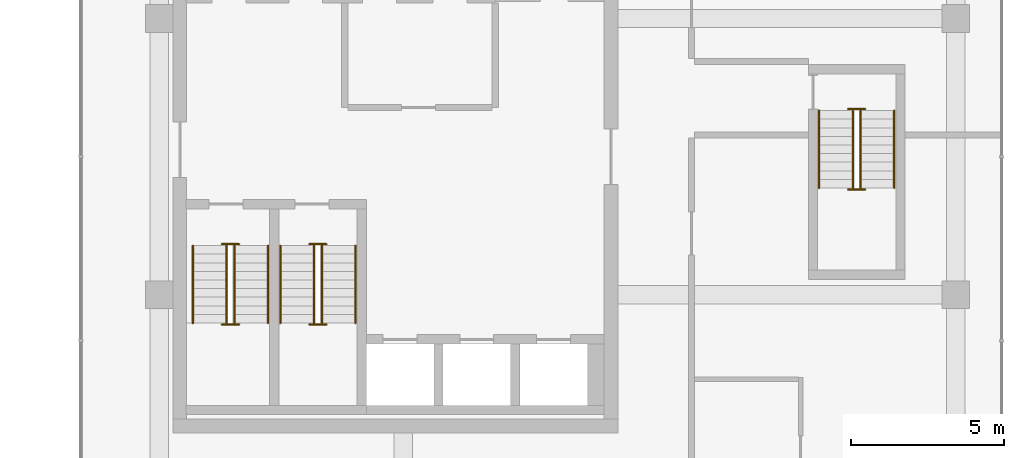
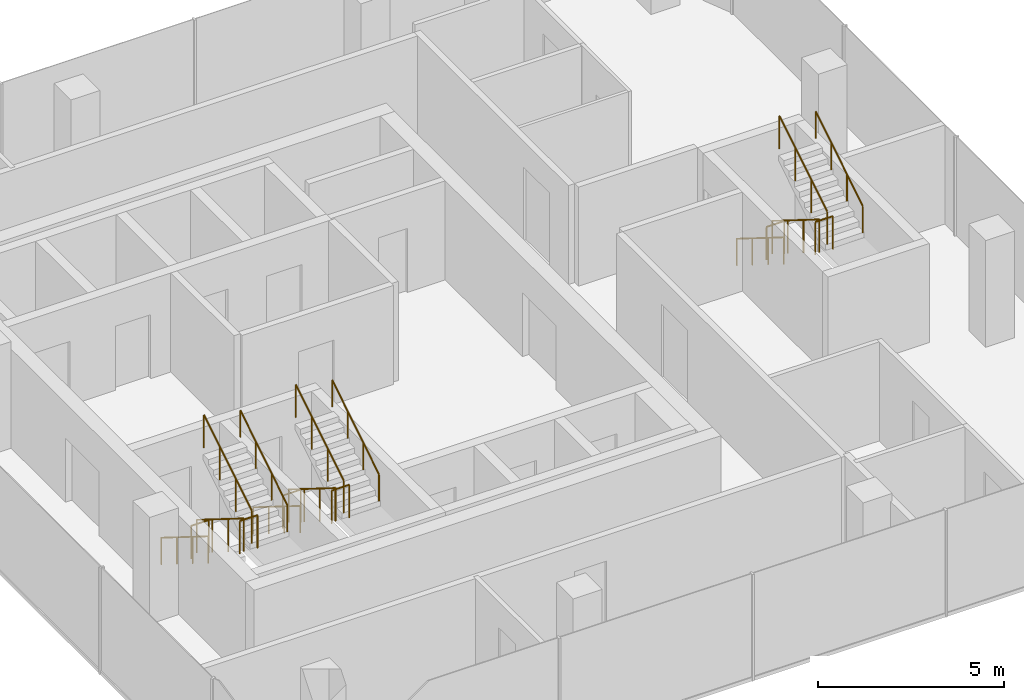
# One storey, part 23 of 23: 18 railings.
"""IFC4 building model written with IfcOpenShell, lengths in metres."""

from ifc_helpers import new_model, si_unit, direction, frame, origin, origin_2d, place, context, subcontext, project, spatial, circle, extrude, material, type_object, element, save


model = new_model("IFC4")

# Units and contexts
model_context = context("Model", 3, precision=1e-05, world=origin(), true_north=direction((0.0, 1.0)))
body_context = subcontext(model_context, "Body", "Model", "MODEL_VIEW")
ifc_project = project(units=[si_unit("LENGTHUNIT", "METRE"), si_unit("AREAUNIT", "SQUARE_METRE"), si_unit("VOLUMEUNIT", "CUBIC_METRE"), si_unit("PLANEANGLEUNIT", "RADIAN"), si_unit("MASSUNIT", "GRAM", prefix="KILO")], contexts=[model_context])

# Site, building, storey
site_placement = place(None, origin())
site = spatial("IfcSite", under=ifc_project, at=site_placement, CompositionType="ELEMENT")
building_placement = place(site_placement, origin())
building = spatial("IfcBuilding", under=site, at=building_placement, Name="Plateau Cross Towers", CompositionType="ELEMENT")
storey_placement = place(building_placement, frame((0.0, 0.0, 88.800048828125)))
storey = spatial("IfcBuildingStorey", under=building, at=storey_placement, Name="L22", CompositionType="ELEMENT", Elevation=88.800048828125)

# Railings
ifc_material_1 = material(Name="Stainless steel and toughened glass", Category="steel")
railing_type_1 = type_object("IfcRailingType", Name="RL-GUARD-1100", PredefinedType="GUARDRAIL", material=ifc_material_1)
railing_1_placement = place(storey_placement, frame((76.75, 6.10009765625, 0.175048828125)))
element("IfcRailing", 1, at=railing_1_placement, inside=storey, type_object=railing_type_1, Name="L22 SB-1 stair guard 1", PredefinedType="GUARDRAIL", context=body_context, shape_type="SweptSolid", body=[
    extrude(circle(Radius=0.02392578125, at=origin_2d()), frame((0.0, 0.0, 1.076171875), z_axis=(0.0, -0.848007534815, 0.529984170421), x_axis=(1.0, 0.0, 0.0)), (0.0, 0.0, 1.0), 2.9716796875),
    extrude(circle(Radius=0.02099609375, at=origin_2d()), origin(), (0.0, 0.0, 1.0), 1.052001953125),
    extrude(circle(Radius=0.02099609375, at=origin_2d()), frame((0.0, -0.840087890625, 0.52490234375)), (0.0, 0.0, 1.0), 1.052001953125),
    extrude(circle(Radius=0.02099609375, at=origin_2d()), frame((0.0, -1.679931640625, 1.050048828125)), (0.0, 0.0, 1.0), 1.052001953125),
    extrude(circle(Radius=0.02099609375, at=origin_2d()), frame((0.0, -2.52001953125, 1.574951171875)), (0.0, 0.0, 1.0), 1.052001953125),
])
railing_2_placement = place(storey_placement, frame((76.60009765625, 3.530029296875, 1.75)))
element("IfcRailing", 2, at=railing_2_placement, inside=storey, type_object=railing_type_1, Name="L22 SB-1 stair guard 2", PredefinedType="GUARDRAIL", context=body_context, shape_type="SweptSolid", body=[
    extrude(circle(Radius=0.02392578125, at=origin_2d()), frame((0.0, 0.0, 1.076171875), z_axis=(1.0, 0.0, 0.0), x_axis=(0.0, 1.0, 0.0)), (0.0, 0.0, 1.0), 0.5498046875),
    extrude(circle(Radius=0.02099609375, at=origin_2d()), origin(), (0.0, 0.0, 1.0), 1.052001953125),
    extrude(circle(Radius=0.02099609375, at=origin_2d()), frame((0.5498046875, 0.0, 0.0)), (0.0, 0.0, 1.0), 1.052001953125),
])
railing_3_placement = place(storey_placement, frame((77.0, 3.580078125, 1.925048828125)))
element("IfcRailing", 3, at=railing_3_placement, inside=storey, type_object=railing_type_1, Name="L22 SB-1 stair guard 3", PredefinedType="GUARDRAIL", context=body_context, shape_type="SweptSolid", body=[
    extrude(circle(Radius=0.02392578125, at=origin_2d()), frame((0.0, 0.0, 1.076171875), z_axis=(0.0, 0.852616386126, 0.522537365276), x_axis=(-1.0, 0.0, 0.0)), (0.0, 0.0, 1.0), 3.01416015625),
    extrude(circle(Radius=0.02099609375, at=origin_2d()), origin(), (0.0, 0.0, 1.0), 1.052001953125),
    extrude(circle(Radius=0.02099609375, at=origin_2d()), frame((0.0, 0.856689453125, 0.52490234375)), (0.0, 0.0, 1.0), 1.052001953125),
    extrude(circle(Radius=0.02099609375, at=origin_2d()), frame((0.0, 1.713134765625, 1.050048828125)), (0.0, 0.0, 1.0), 1.052001953125),
    extrude(circle(Radius=0.02099609375, at=origin_2d()), frame((0.0, 2.56982421875, 1.574951171875)), (0.0, 0.0, 1.0), 1.052001953125),
])
railing_4_placement = place(storey_placement, frame((76.60009765625, 6.14990234375, 0.0)))
element("IfcRailing", 4, at=railing_4_placement, inside=storey, type_object=railing_type_1, Name="L22 SB-1 stair guard 4", PredefinedType="GUARDRAIL", context=body_context, shape_type="SweptSolid", body=[
    extrude(circle(Radius=0.02392578125, at=origin_2d()), frame((0.0, 0.0, 1.076171875), z_axis=(1.0, 0.0, 0.0), x_axis=(0.0, 1.0, 0.0)), (0.0, 0.0, 1.0), 0.5498046875),
    extrude(circle(Radius=0.02099609375, at=origin_2d()), origin(), (0.0, 0.0, 1.0), 1.052001953125),
    extrude(circle(Radius=0.02099609375, at=origin_2d()), frame((0.5498046875, 0.0, 0.0)), (0.0, 0.0, 1.0), 1.052001953125),
])
railing_5_placement = place(storey_placement, frame((79.60009765625, 6.10009765625, 0.175048828125)))
element("IfcRailing", 5, at=railing_5_placement, inside=storey, type_object=railing_type_1, Name="L22 SB-2 stair guard 1", PredefinedType="GUARDRAIL", context=body_context, shape_type="SweptSolid", body=[
    extrude(circle(Radius=0.02392578125, at=origin_2d()), frame((0.0, 0.0, 1.076171875), z_axis=(0.0, -0.848007534815, 0.529984170421), x_axis=(1.0, 0.0, 0.0)), (0.0, 0.0, 1.0), 2.9716796875),
    extrude(circle(Radius=0.02099609375, at=origin_2d()), origin(), (0.0, 0.0, 1.0), 1.052001953125),
    extrude(circle(Radius=0.02099609375, at=origin_2d()), frame((0.0, -0.840087890625, 0.52490234375)), (0.0, 0.0, 1.0), 1.052001953125),
    extrude(circle(Radius=0.02099609375, at=origin_2d()), frame((0.0, -1.679931640625, 1.050048828125)), (0.0, 0.0, 1.0), 1.052001953125),
    extrude(circle(Radius=0.02099609375, at=origin_2d()), frame((0.0, -2.52001953125, 1.574951171875)), (0.0, 0.0, 1.0), 1.052001953125),
])
railing_6_placement = place(storey_placement, frame((79.449951171875, 3.530029296875, 1.75)))
element("IfcRailing", 6, at=railing_6_placement, inside=storey, type_object=railing_type_1, Name="L22 SB-2 stair guard 2", PredefinedType="GUARDRAIL", context=body_context, shape_type="SweptSolid", body=[
    extrude(circle(Radius=0.02392578125, at=origin_2d()), frame((0.0, 0.0, 1.076171875), z_axis=(1.0, 0.0, 0.0), x_axis=(0.0, 1.0, 0.0)), (0.0, 0.0, 1.0), 0.550048828125),
    extrude(circle(Radius=0.02099609375, at=origin_2d()), origin(), (0.0, 0.0, 1.0), 1.052001953125),
    extrude(circle(Radius=0.02099609375, at=origin_2d()), frame((0.550048828125, 0.0, 0.0)), (0.0, 0.0, 1.0), 1.052001953125),
])
railing_7_placement = place(storey_placement, frame((79.85009765625, 3.580078125, 1.925048828125)))
element("IfcRailing", 7, at=railing_7_placement, inside=storey, type_object=railing_type_1, Name="L22 SB-2 stair guard 3", PredefinedType="GUARDRAIL", context=body_context, shape_type="SweptSolid", body=[
    extrude(circle(Radius=0.02392578125, at=origin_2d()), frame((0.0, 0.0, 1.076171875), z_axis=(0.0, 0.852616386126, 0.522537365276), x_axis=(-1.0, 0.0, 0.0)), (0.0, 0.0, 1.0), 3.01416015625),
    extrude(circle(Radius=0.02099609375, at=origin_2d()), origin(), (0.0, 0.0, 1.0), 1.052001953125),
    extrude(circle(Radius=0.02099609375, at=origin_2d()), frame((0.0, 0.856689453125, 0.52490234375)), (0.0, 0.0, 1.0), 1.052001953125),
    extrude(circle(Radius=0.02099609375, at=origin_2d()), frame((0.0, 1.713134765625, 1.050048828125)), (0.0, 0.0, 1.0), 1.052001953125),
    extrude(circle(Radius=0.02099609375, at=origin_2d()), frame((0.0, 2.56982421875, 1.574951171875)), (0.0, 0.0, 1.0), 1.052001953125),
])
railing_8_placement = place(storey_placement, frame((79.449951171875, 6.14990234375, 0.0)))
element("IfcRailing", 8, at=railing_8_placement, inside=storey, type_object=railing_type_1, Name="L22 SB-2 stair guard 4", PredefinedType="GUARDRAIL", context=body_context, shape_type="SweptSolid", body=[
    extrude(circle(Radius=0.02392578125, at=origin_2d()), frame((0.0, 0.0, 1.076171875), z_axis=(1.0, 0.0, 0.0), x_axis=(0.0, 1.0, 0.0)), (0.0, 0.0, 1.0), 0.550048828125),
    extrude(circle(Radius=0.02099609375, at=origin_2d()), origin(), (0.0, 0.0, 1.0), 1.052001953125),
    extrude(circle(Radius=0.02099609375, at=origin_2d()), frame((0.550048828125, 0.0, 0.0)), (0.0, 0.0, 1.0), 1.052001953125),
])
railing_9_placement = place(storey_placement, frame((97.14990234375, 10.5, 0.175048828125)))
element("IfcRailing", 9, at=railing_9_placement, inside=storey, type_object=railing_type_1, Name="L22 SB-3 stair guard 1", PredefinedType="GUARDRAIL", context=body_context, shape_type="SweptSolid", body=[
    extrude(circle(Radius=0.02392578125, at=origin_2d()), frame((0.0, 0.0, 1.076171875), z_axis=(0.0, -0.848007534815, 0.529984170421), x_axis=(1.0, 0.0, 0.0)), (0.0, 0.0, 1.0), 2.9716796875),
    extrude(circle(Radius=0.02099609375, at=origin_2d()), origin(), (0.0, 0.0, 1.0), 1.052001953125),
    extrude(circle(Radius=0.02099609375, at=origin_2d()), frame((0.0, -0.840087890625, 0.52490234375)), (0.0, 0.0, 1.0), 1.052001953125),
    extrude(circle(Radius=0.02099609375, at=origin_2d()), frame((0.0, -1.679931640625, 1.050048828125)), (0.0, 0.0, 1.0), 1.052001953125),
    extrude(circle(Radius=0.02099609375, at=origin_2d()), frame((0.0, -2.52001953125, 1.574951171875)), (0.0, 0.0, 1.0), 1.052001953125),
])
railing_10_placement = place(storey_placement, frame((97.0, 7.929931640625, 1.75)))
element("IfcRailing", 10, at=railing_10_placement, inside=storey, type_object=railing_type_1, Name="L22 SB-3 stair guard 2", PredefinedType="GUARDRAIL", context=body_context, shape_type="SweptSolid", body=[
    extrude(circle(Radius=0.02392578125, at=origin_2d()), frame((0.0, 0.0, 1.076171875), z_axis=(1.0, 0.0, 0.0), x_axis=(0.0, 1.0, 0.0)), (0.0, 0.0, 1.0), 0.550048828125),
    extrude(circle(Radius=0.02099609375, at=origin_2d()), origin(), (0.0, 0.0, 1.0), 1.052001953125),
    extrude(circle(Radius=0.02099609375, at=origin_2d()), frame((0.550048828125, 0.0, 0.0)), (0.0, 0.0, 1.0), 1.052001953125),
])
railing_11_placement = place(storey_placement, frame((97.39990234375, 7.97998046875, 1.925048828125)))
element("IfcRailing", 11, at=railing_11_placement, inside=storey, type_object=railing_type_1, Name="L22 SB-3 stair guard 3", PredefinedType="GUARDRAIL", context=body_context, shape_type="SweptSolid", body=[
    extrude(circle(Radius=0.02392578125, at=origin_2d()), frame((0.0, 0.0, 1.076171875), z_axis=(0.0, 0.852638500773, 0.522501279423), x_axis=(-1.0, 0.0, 0.0)), (0.0, 0.0, 1.0), 3.01416015625),
    extrude(circle(Radius=0.02099609375, at=origin_2d()), origin(), (0.0, 0.0, 1.0), 1.052001953125),
    extrude(circle(Radius=0.02099609375, at=origin_2d()), frame((0.0, 0.856689453125, 0.52490234375)), (0.0, 0.0, 1.0), 1.052001953125),
    extrude(circle(Radius=0.02099609375, at=origin_2d()), frame((0.0, 1.71337890625, 1.050048828125)), (0.0, 0.0, 1.0), 1.052001953125),
    extrude(circle(Radius=0.02099609375, at=origin_2d()), frame((0.0, 2.570068359375, 1.574951171875)), (0.0, 0.0, 1.0), 1.052001953125),
])
railing_12_placement = place(storey_placement, frame((97.0, 10.550048828125, 0.0)))
element("IfcRailing", 12, at=railing_12_placement, inside=storey, type_object=railing_type_1, Name="L22 SB-3 stair guard 4", PredefinedType="GUARDRAIL", context=body_context, shape_type="SweptSolid", body=[
    extrude(circle(Radius=0.02392578125, at=origin_2d()), frame((0.0, 0.0, 1.076171875), z_axis=(1.0, 0.0, 0.0), x_axis=(0.0, 1.0, 0.0)), (0.0, 0.0, 1.0), 0.550048828125),
    extrude(circle(Radius=0.02099609375, at=origin_2d()), origin(), (0.0, 0.0, 1.0), 1.052001953125),
    extrude(circle(Radius=0.02099609375, at=origin_2d()), frame((0.550048828125, 0.0, 0.0)), (0.0, 0.0, 1.0), 1.052001953125),
])
ifc_material_2 = material(Name="Black anodised aluminium", Category="aluminium")
railing_type_2 = type_object("IfcRailingType", Name="RL-HANDRAIL-900", PredefinedType="HANDRAIL", material=ifc_material_2)
railing_13_placement = place(storey_placement, frame((75.64990234375, 6.10009765625, 0.175048828125)))
element("IfcRailing", 13, at=railing_13_placement, inside=storey, type_object=railing_type_2, Name="L22 SB-1 stair handrail 1", PredefinedType="HANDRAIL", context=body_context, shape_type="SweptSolid", body=[
    extrude(circle(Radius=0.02392578125, at=origin_2d()), frame((0.0, 0.0, 0.8759765625), z_axis=(0.0, -0.848007534815, 0.529984170421), x_axis=(1.0, 0.0, 0.0)), (0.0, 0.0, 1.0), 2.9716796875),
    extrude(circle(Radius=0.02099609375, at=origin_2d()), origin(), (0.0, 0.0, 1.0), 0.851806640625),
    extrude(circle(Radius=0.02099609375, at=origin_2d()), frame((0.0, -0.840087890625, 0.52490234375)), (0.0, 0.0, 1.0), 0.851806640625),
    extrude(circle(Radius=0.02099609375, at=origin_2d()), frame((0.0, -1.679931640625, 1.050048828125)), (0.0, 0.0, 1.0), 0.851806640625),
    extrude(circle(Radius=0.02099609375, at=origin_2d()), frame((0.0, -2.52001953125, 1.574951171875)), (0.0, 0.0, 1.0), 0.851806640625),
])
railing_14_placement = place(storey_placement, frame((78.10009765625, 3.580078125, 1.925048828125)))
element("IfcRailing", 14, at=railing_14_placement, inside=storey, type_object=railing_type_2, Name="L22 SB-1 stair handrail 2", PredefinedType="HANDRAIL", context=body_context, shape_type="SweptSolid", body=[
    extrude(circle(Radius=0.02392578125, at=origin_2d()), frame((0.0, 0.0, 0.8759765625), z_axis=(0.0, 0.848007534815, 0.529984170421), x_axis=(-1.0, 0.0, 0.0)), (0.0, 0.0, 1.0), 2.9716796875),
    extrude(circle(Radius=0.02099609375, at=origin_2d()), origin(), (0.0, 0.0, 1.0), 0.851806640625),
    extrude(circle(Radius=0.02099609375, at=origin_2d()), frame((0.0, 0.840087890625, 0.52490234375)), (0.0, 0.0, 1.0), 0.851806640625),
    extrude(circle(Radius=0.02099609375, at=origin_2d()), frame((0.0, 1.679931640625, 1.050048828125)), (0.0, 0.0, 1.0), 0.851806640625),
    extrude(circle(Radius=0.02099609375, at=origin_2d()), frame((0.0, 2.52001953125, 1.574951171875)), (0.0, 0.0, 1.0), 0.851806640625),
])
railing_15_placement = place(storey_placement, frame((78.5, 6.10009765625, 0.175048828125)))
element("IfcRailing", 15, at=railing_15_placement, inside=storey, type_object=railing_type_2, Name="L22 SB-2 stair handrail 1", PredefinedType="HANDRAIL", context=body_context, shape_type="SweptSolid", body=[
    extrude(circle(Radius=0.02392578125, at=origin_2d()), frame((0.0, 0.0, 0.8759765625), z_axis=(0.0, -0.848007534815, 0.529984170421), x_axis=(1.0, 0.0, 0.0)), (0.0, 0.0, 1.0), 2.9716796875),
    extrude(circle(Radius=0.02099609375, at=origin_2d()), origin(), (0.0, 0.0, 1.0), 0.851806640625),
    extrude(circle(Radius=0.02099609375, at=origin_2d()), frame((0.0, -0.840087890625, 0.52490234375)), (0.0, 0.0, 1.0), 0.851806640625),
    extrude(circle(Radius=0.02099609375, at=origin_2d()), frame((0.0, -1.679931640625, 1.050048828125)), (0.0, 0.0, 1.0), 0.851806640625),
    extrude(circle(Radius=0.02099609375, at=origin_2d()), frame((0.0, -2.52001953125, 1.574951171875)), (0.0, 0.0, 1.0), 0.851806640625),
])
railing_16_placement = place(storey_placement, frame((80.949951171875, 3.580078125, 1.925048828125)))
element("IfcRailing", 16, at=railing_16_placement, inside=storey, type_object=railing_type_2, Name="L22 SB-2 stair handrail 2", PredefinedType="HANDRAIL", context=body_context, shape_type="SweptSolid", body=[
    extrude(circle(Radius=0.02392578125, at=origin_2d()), frame((0.0, 0.0, 0.8759765625), z_axis=(0.0, 0.848007534815, 0.529984170421), x_axis=(-1.0, 0.0, 0.0)), (0.0, 0.0, 1.0), 2.9716796875),
    extrude(circle(Radius=0.02099609375, at=origin_2d()), origin(), (0.0, 0.0, 1.0), 0.851806640625),
    extrude(circle(Radius=0.02099609375, at=origin_2d()), frame((0.0, 0.840087890625, 0.52490234375)), (0.0, 0.0, 1.0), 0.851806640625),
    extrude(circle(Radius=0.02099609375, at=origin_2d()), frame((0.0, 1.679931640625, 1.050048828125)), (0.0, 0.0, 1.0), 0.851806640625),
    extrude(circle(Radius=0.02099609375, at=origin_2d()), frame((0.0, 2.52001953125, 1.574951171875)), (0.0, 0.0, 1.0), 0.851806640625),
])
railing_17_placement = place(storey_placement, frame((96.050048828125, 10.5, 0.175048828125)))
element("IfcRailing", 17, at=railing_17_placement, inside=storey, type_object=railing_type_2, Name="L22 SB-3 stair handrail 1", PredefinedType="HANDRAIL", context=body_context, shape_type="SweptSolid", body=[
    extrude(circle(Radius=0.02392578125, at=origin_2d()), frame((0.0, 0.0, 0.8759765625), z_axis=(0.0, -0.848007534815, 0.529984170421), x_axis=(1.0, 0.0, 0.0)), (0.0, 0.0, 1.0), 2.9716796875),
    extrude(circle(Radius=0.02099609375, at=origin_2d()), origin(), (0.0, 0.0, 1.0), 0.851806640625),
    extrude(circle(Radius=0.02099609375, at=origin_2d()), frame((0.0, -0.840087890625, 0.52490234375)), (0.0, 0.0, 1.0), 0.851806640625),
    extrude(circle(Radius=0.02099609375, at=origin_2d()), frame((0.0, -1.679931640625, 1.050048828125)), (0.0, 0.0, 1.0), 0.851806640625),
    extrude(circle(Radius=0.02099609375, at=origin_2d()), frame((0.0, -2.52001953125, 1.574951171875)), (0.0, 0.0, 1.0), 0.851806640625),
])
railing_18_placement = place(storey_placement, frame((98.5, 7.97998046875, 1.925048828125)))
element("IfcRailing", 18, at=railing_18_placement, inside=storey, type_object=railing_type_2, Name="L22 SB-3 stair handrail 2", PredefinedType="HANDRAIL", context=body_context, shape_type="SweptSolid", body=[
    extrude(circle(Radius=0.02392578125, at=origin_2d()), frame((0.0, 0.0, 0.8759765625), z_axis=(0.0, 0.848007534815, 0.529984170421), x_axis=(-1.0, 0.0, 0.0)), (0.0, 0.0, 1.0), 2.9716796875),
    extrude(circle(Radius=0.02099609375, at=origin_2d()), origin(), (0.0, 0.0, 1.0), 0.851806640625),
    extrude(circle(Radius=0.02099609375, at=origin_2d()), frame((0.0, 0.840087890625, 0.52490234375)), (0.0, 0.0, 1.0), 0.851806640625),
    extrude(circle(Radius=0.02099609375, at=origin_2d()), frame((0.0, 1.679931640625, 1.050048828125)), (0.0, 0.0, 1.0), 0.851806640625),
    extrude(circle(Radius=0.02099609375, at=origin_2d()), frame((0.0, 2.52001953125, 1.574951171875)), (0.0, 0.0, 1.0), 0.851806640625),
])

save(model, "model.ifc")
